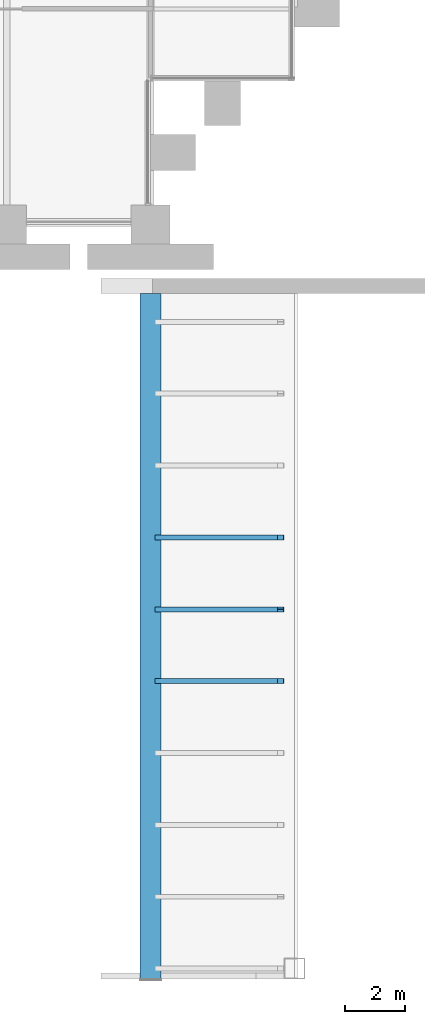
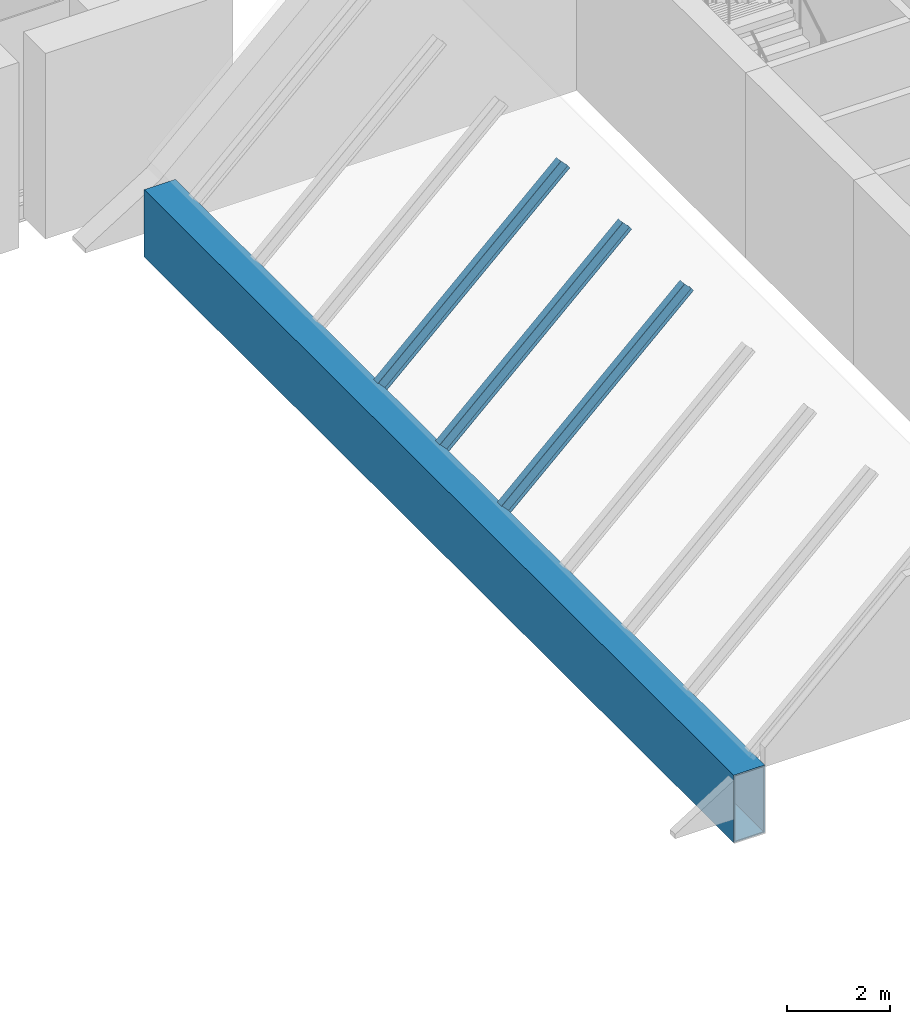
# One storey, part 9 of 30: 4 beams.
"""IFC4 building model written with IfcOpenShell, lengths in metres."""

from ifc_helpers import new_model, si_unit, direction, frame, origin, origin_2d, place, context, subcontext, project, spatial, hollow_rectangle, i_section, extrude, material, material_profile, profile_set, type_object, element, save


model = new_model("IFC4")

# Units and contexts
model_context = context("Model", 3, precision=1e-05, world=origin(), true_north=direction((0.0, 1.0)))
body_context = subcontext(model_context, "Body", "Model", "MODEL_VIEW")
ifc_project = project(units=[si_unit("LENGTHUNIT", "METRE"), si_unit("AREAUNIT", "SQUARE_METRE"), si_unit("VOLUMEUNIT", "CUBIC_METRE"), si_unit("PLANEANGLEUNIT", "RADIAN"), si_unit("MASSUNIT", "GRAM", prefix="KILO")], contexts=[model_context])

# Site, building, storey
site_placement = place(None, origin())
site = spatial("IfcSite", under=ifc_project, at=site_placement, CompositionType="ELEMENT")
building_placement = place(site_placement, origin())
building = spatial("IfcBuilding", under=site, at=building_placement, Name="Baori Bourse Tower", CompositionType="ELEMENT")
storey_placement = place(building_placement, frame((0.0, 0.0, 17.0)))
storey = spatial("IfcBuildingStorey", under=building, at=storey_placement, Name="L02", CompositionType="ELEMENT", Elevation=17.0)

# Beams
ifc_material_1 = material(Name="Steel A572 Gr 50", Category="steel")
ifc_material_profile_1 = material_profile(ifc_material_1, hollow_rectangle(XDim=0.699951171875, YDim=1.60009765625, WallThickness=0.030029296875, at=origin_2d()), Name="BOX 1600x700x30")
ifc_profile_set_1 = profile_set([ifc_material_profile_1], Name="Steel A572 Gr 50")
beam_type_1 = type_object("IfcBeamType", Name="Hall box girder 1600x700", PredefinedType="BEAM", material=ifc_profile_set_1)
beam_placement = place(storey_placement, frame((48.0, -25.199951171875, 0.244873046875), z_axis=(0.0, 1.0, 0.0), x_axis=(-1.0, 0.0, 0.0)))
element("IfcBeam", 1, at=beam_placement, inside=storey, type_object=beam_type_1, Name="wing/L02/girder/002", PredefinedType="BEAM", context=body_context, shape_type="SweptSolid", body=[
    extrude(hollow_rectangle(XDim=0.699951171875, YDim=1.60009765625, WallThickness=0.030029296875, at=origin_2d()), origin(), (0.0, 0.0, 1.0), 22.89990234375),
])
ifc_material_2 = material(Name="Steel A992 Gr 50", Category="steel")
ifc_material_profile_2 = material_profile(ifc_material_2, i_section(OverallWidth=0.164794921875, OverallDepth=0.309814453125, WebThickness=0.005859375, FlangeThickness=0.009765625, at=origin_2d()), Name="W12x26")
ifc_profile_set_2 = profile_set([ifc_material_profile_2], Name="Steel A992 Gr 50")
beam_type_2 = type_object("IfcBeamType", Name="Wing beam W12x26", PredefinedType="BEAM", material=ifc_profile_set_2)
for number, where, z_axis, x_axis, name in (
    (2, (48.244140625, -15.25, 1.158203125), (0.730781719631, 0.0, 0.682611220427), (0.0, 1.0, 0.0), "wing/L02/purlin/015"),
    (3, (48.244140625, -12.85009765625, 1.158203125), (0.730781719631, 0.0, 0.682611220427), (0.0, 1.0, 0.0), "wing/L02/purlin/016"),
    (4, (48.244140625, -10.449951171875, 1.158203125), (0.730781719631, 0.0, 0.682611220427), (0.0, 1.0, 0.0), "wing/L02/purlin/017"),
):
    element("IfcBeam", number, at=place(storey_placement, frame(where, z_axis=z_axis, x_axis=x_axis)), inside=storey, type_object=beam_type_2, Name=name, PredefinedType="BEAM", context=body_context, shape_type="SweptSolid", body=[
        extrude(i_section(OverallWidth=0.164794921875, OverallDepth=0.309814453125, WebThickness=0.005859375, FlangeThickness=0.009765625, at=origin_2d()), origin(), (0.0, 0.0, 1.0), 5.610595703125),
    ])

save(model, "model.ifc")
